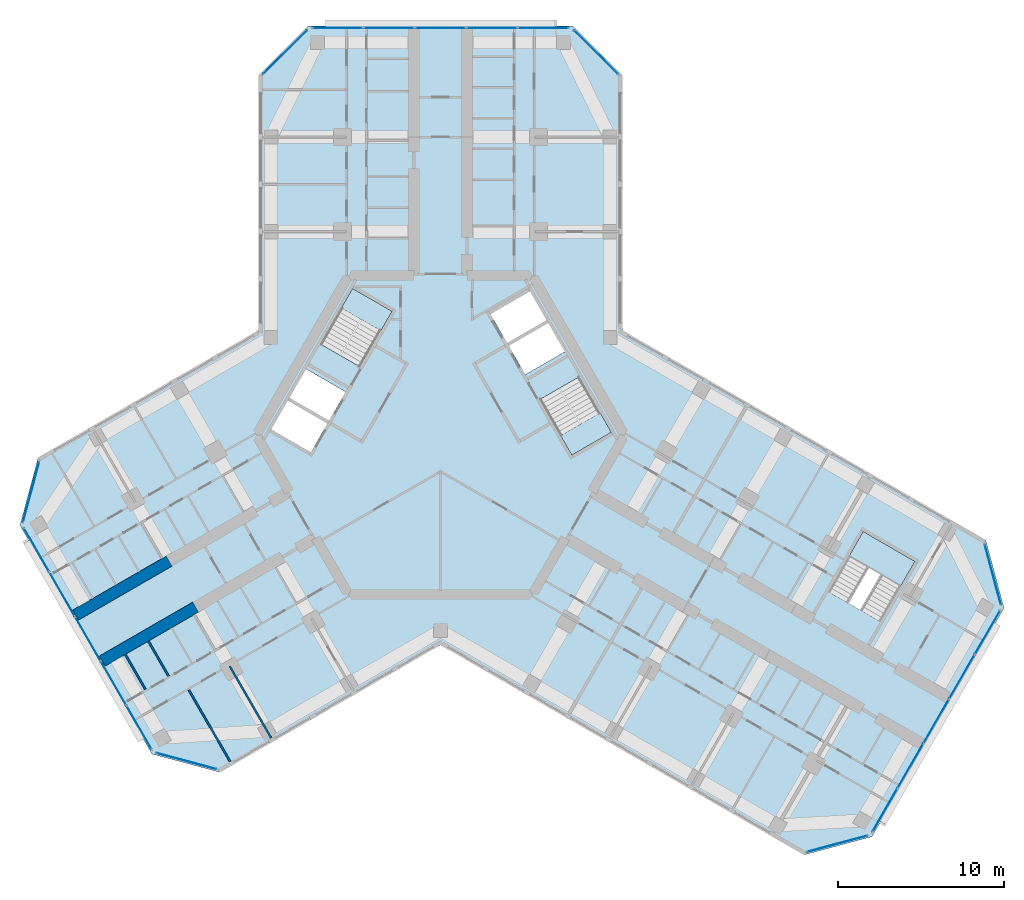
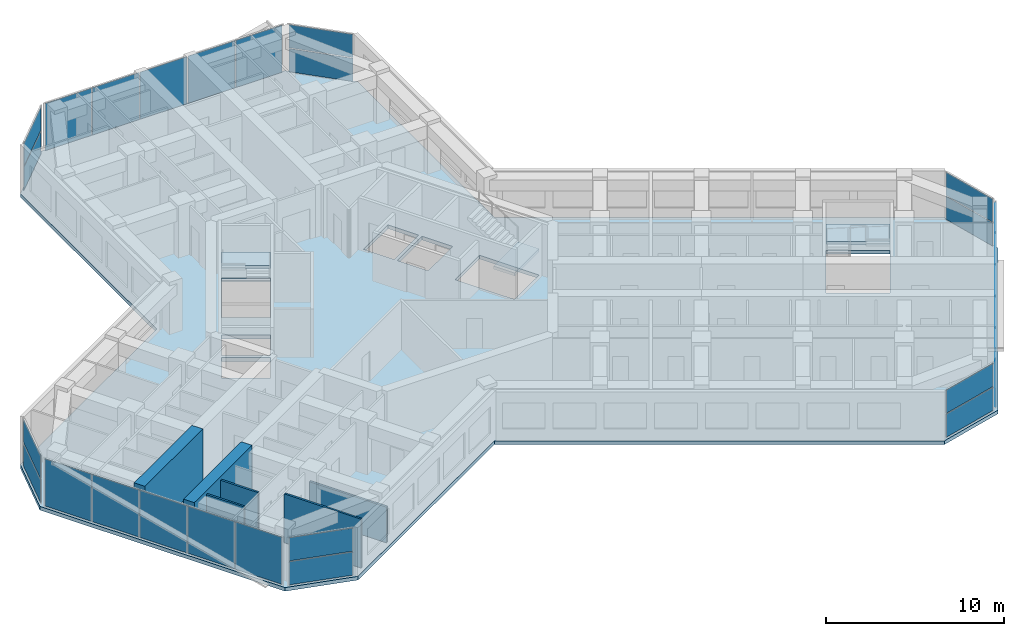
# One storey, part 7 of 16: 27 plates, 6 walls, 4 slabs, 12 elements without a shape of their own.
"""IFC4 building model written with IfcOpenShell, lengths in metres."""

from ifc_helpers import new_model, si_unit, direction, frame, frame_2d, origin, origin_2d, place, context, subcontext, project, spatial, polyline, rectangle, outline, extrude, material, layer, layer_set, type_object, element, aggregate, save


model = new_model("IFC4")

# Units and contexts
model_context = context("Model", 3, precision=1e-05, world=origin(), true_north=direction((0.0, 1.0)))
body_context = subcontext(model_context, "Body", "Model", "MODEL_VIEW")
ifc_project = project(units=[si_unit("LENGTHUNIT", "METRE"), si_unit("AREAUNIT", "SQUARE_METRE"), si_unit("VOLUMEUNIT", "CUBIC_METRE"), si_unit("PLANEANGLEUNIT", "RADIAN"), si_unit("MASSUNIT", "GRAM", prefix="KILO")], contexts=[model_context])

# Site, building, storey
site_placement = place(None, origin())
site = spatial("IfcSite", under=ifc_project, at=site_placement, CompositionType="ELEMENT")
building_placement = place(site_placement, origin())
building = spatial("IfcBuilding", under=site, at=building_placement, Name="Kosmar Iwan School Tower", CompositionType="ELEMENT")
storey_placement = place(building_placement, frame((0.0, 0.0, 242.39990234375)))
storey = spatial("IfcBuildingStorey", under=building, at=storey_placement, Name="L61", CompositionType="ELEMENT", Elevation=242.39990234375)

# Curtain wall, plates
ifc_material_1 = material(Name="Dark glass in black aluminium frame", Category="aluminium")
curtain_wall_type_1 = type_object("IfcCurtainWallType", Name="Chamfer curtain wall dark glass", PredefinedType="USERDEFINED", material=ifc_material_1)
curtain_wall_1_placement = place(storey_placement, origin())
curtain_wall_1 = element("IfcCurtainWall", 1, at=curtain_wall_1_placement, inside=storey, type_object=curtain_wall_type_1, Name="Curtain wall L61-F00", ObjectType="FACETED CURTAIN WALL", PredefinedType="USERDEFINED")
ifc_material_2 = material(Name="Dark glass", Category="glass")
ifc_layer_1 = layer(ifc_material_2, 0.028076171875)
ifc_layer_set_1 = layer_set([ifc_layer_1], Name="Dark glass panel 28")
plate_type = type_object("IfcPlateType", Name="Dark glass panel 28", PredefinedType="CURTAIN_PANEL", material=ifc_layer_set_1)
plate_1_placement = place(storey_placement, frame((23.908203125, -24.61328125, 0.06005859375), z_axis=(0.0, 0.0, 1.0), x_axis=(0.965925875495, 0.258818861462, 0.0)))
plate_1 = element("IfcPlate", 2, at=plate_1_placement, type_object=plate_type, Name="CW2 panel 1.1", PredefinedType="CURTAIN_PANEL", context=body_context, shape_type="SweptSolid", body=[
    extrude(rectangle(XDim=3.718994140625, YDim=0.028076171875, at=origin_2d()), origin(), (0.0, 0.0, 1.0), 1.5849609375),
])
plate_2_placement = place(storey_placement, frame((23.908203125, -24.61328125, 1.705078125), z_axis=(0.0, 0.0, 1.0), x_axis=(0.965925875495, 0.258818861462, 0.0)))
plate_2 = element("IfcPlate", 3, at=plate_2_placement, type_object=plate_type, Name="CW2 panel 1.2", PredefinedType="CURTAIN_PANEL", context=body_context, shape_type="SweptSolid", body=[
    extrude(rectangle(XDim=3.718994140625, YDim=0.028076171875, at=origin_2d()), origin(), (0.0, 0.0, 1.0), 1.5849609375),
])
aggregate(curtain_wall_1, [plate_1, plate_2])

ifc_material_3 = material(Name="Dark glass in black aluminium frame", Category="aluminium")
curtain_wall_type_2 = type_object("IfcCurtainWallType", Name="Tower curtain wall dark glass", PredefinedType="USERDEFINED", material=ifc_material_3)
curtain_wall_2_placement = place(storey_placement, origin())
curtain_wall_2 = element("IfcCurtainWall", 4, at=curtain_wall_2_placement, inside=storey, type_object=curtain_wall_type_2, Name="Curtain wall L61-F01", ObjectType="UNITISED CURTAIN WALL", PredefinedType="USERDEFINED")
plate_3_placement = place(storey_placement, frame((26.764404296875, -22.592529296875, 0.06005859375), z_axis=(0.0, 0.0, 1.0), x_axis=(0.499999997325, 0.866025405329, 0.0)))
plate_3 = element("IfcPlate", 5, at=plate_3_placement, type_object=plate_type, Name="CW1 panel 1.1", PredefinedType="CURTAIN_PANEL", context=body_context, shape_type="SweptSolid", body=[
    extrude(rectangle(XDim=3.00927734375, YDim=0.028076171875, at=origin_2d()), origin(), (0.0, 0.0, 1.0), 3.22998046875),
])
plate_4_placement = place(storey_placement, frame((28.306640625, -19.921630859375, 0.06005859375), z_axis=(0.0, 0.0, 1.0), x_axis=(0.499999997325, 0.866025405329, 0.0)))
plate_4 = element("IfcPlate", 6, at=plate_4_placement, type_object=plate_type, Name="CW1 panel 2.1", PredefinedType="CURTAIN_PANEL", context=body_context, shape_type="SweptSolid", body=[
    extrude(rectangle(XDim=3.039306640625, YDim=0.028076171875, at=origin_2d()), origin(), (0.0, 0.0, 1.0), 3.22998046875),
])
plate_5_placement = place(storey_placement, frame((29.856201171875, -17.237548828125, 0.06005859375), z_axis=(0.0, 0.0, 1.0), x_axis=(0.499999997325, 0.866025405329, 0.0)))
plate_5 = element("IfcPlate", 7, at=plate_5_placement, type_object=plate_type, Name="CW1 panel 3.1", PredefinedType="CURTAIN_PANEL", context=body_context, shape_type="SweptSolid", body=[
    extrude(rectangle(XDim=3.039306640625, YDim=0.028076171875, at=origin_2d()), origin(), (0.0, 0.0, 1.0), 3.22998046875),
])
plate_6_placement = place(storey_placement, frame((31.40576171875, -14.553466796875, 0.06005859375), z_axis=(0.0, 0.0, 1.0), x_axis=(0.499999997325, 0.866025405329, 0.0)))
plate_6 = element("IfcPlate", 8, at=plate_6_placement, type_object=plate_type, Name="CW1 panel 4.1", PredefinedType="CURTAIN_PANEL", context=body_context, shape_type="SweptSolid", body=[
    extrude(rectangle(XDim=3.039306640625, YDim=0.028076171875, at=origin_2d()), origin(), (0.0, 0.0, 1.0), 3.22998046875),
])
plate_7_placement = place(storey_placement, frame((32.947998046875, -11.88232421875, 0.06005859375), z_axis=(0.0, 0.0, 1.0), x_axis=(0.499999997325, 0.866025405329, 0.0)))
plate_7 = element("IfcPlate", 9, at=plate_7_placement, type_object=plate_type, Name="CW1 panel 5.1", PredefinedType="CURTAIN_PANEL", context=body_context, shape_type="SweptSolid", body=[
    extrude(rectangle(XDim=3.00927734375, YDim=0.028076171875, at=origin_2d()), origin(), (0.0, 0.0, 1.0), 3.22998046875),
])
aggregate(curtain_wall_2, [plate_3, plate_4, plate_5, plate_6, plate_7])

curtain_wall_3_placement = place(storey_placement, origin())
curtain_wall_3 = element("IfcCurtainWall", 10, at=curtain_wall_3_placement, inside=storey, type_object=curtain_wall_type_1, Name="Curtain wall L61-F02", ObjectType="FACETED CURTAIN WALL", PredefinedType="USERDEFINED")
plate_8_placement = place(storey_placement, frame((33.269775390625, -8.3984375, 0.06005859375), z_axis=(0.0, 0.0, 1.0), x_axis=(-0.258818861462, 0.965925875495, 0.0)))
plate_8 = element("IfcPlate", 11, at=plate_8_placement, type_object=plate_type, Name="CW2 panel 1.1", PredefinedType="CURTAIN_PANEL", context=body_context, shape_type="SweptSolid", body=[
    extrude(rectangle(XDim=3.718994140625, YDim=0.028076171875, at=origin_2d()), origin(), (0.0, 0.0, 1.0), 1.5849609375),
])
plate_9_placement = place(storey_placement, frame((33.269775390625, -8.3984375, 1.705078125), z_axis=(0.0, 0.0, 1.0), x_axis=(-0.258818861462, 0.965925875495, 0.0)))
plate_9 = element("IfcPlate", 12, at=plate_9_placement, type_object=plate_type, Name="CW2 panel 1.2", PredefinedType="CURTAIN_PANEL", context=body_context, shape_type="SweptSolid", body=[
    extrude(rectangle(XDim=3.718994140625, YDim=0.028076171875, at=origin_2d()), origin(), (0.0, 0.0, 1.0), 1.5849609375),
])
aggregate(curtain_wall_3, [plate_8, plate_9])

curtain_wall_4_placement = place(storey_placement, origin())
curtain_wall_4 = element("IfcCurtainWall", 13, at=curtain_wall_4_placement, inside=storey, type_object=curtain_wall_type_1, Name="Curtain wall L61-F05", ObjectType="FACETED CURTAIN WALL", PredefinedType="USERDEFINED")
plate_10_placement = place(storey_placement, frame((9.361572265625, 23.0615234375, 0.06005859375), z_axis=(0.0, 0.0, 1.0), x_axis=(-0.707106781187, 0.707106781187, 0.0)))
plate_10 = element("IfcPlate", 14, at=plate_10_placement, type_object=plate_type, Name="CW2 panel 1.1", PredefinedType="CURTAIN_PANEL", context=body_context, shape_type="SweptSolid", body=[
    extrude(rectangle(XDim=3.718994140625, YDim=0.028076171875, at=origin_2d()), origin(), (0.0, 0.0, 1.0), 1.5849609375),
])
plate_11_placement = place(storey_placement, frame((9.361572265625, 23.0615234375, 1.705078125), z_axis=(0.0, 0.0, 1.0), x_axis=(-0.707106781187, 0.707106781187, 0.0)))
plate_11 = element("IfcPlate", 15, at=plate_11_placement, type_object=plate_type, Name="CW2 panel 1.2", PredefinedType="CURTAIN_PANEL", context=body_context, shape_type="SweptSolid", body=[
    extrude(rectangle(XDim=3.718994140625, YDim=0.028076171875, at=origin_2d()), origin(), (0.0, 0.0, 1.0), 1.5849609375),
])
aggregate(curtain_wall_4, [plate_10, plate_11])

curtain_wall_5_placement = place(storey_placement, origin())
curtain_wall_5 = element("IfcCurtainWall", 16, at=curtain_wall_5_placement, inside=storey, type_object=curtain_wall_type_2, Name="Curtain wall L61-F06", ObjectType="UNITISED CURTAIN WALL", PredefinedType="USERDEFINED")
plate_12_placement = place(storey_placement, frame((6.18359375, 24.52490234375, 0.06005859375), z_axis=(0.0, 0.0, 1.0), x_axis=(-1.0, 0.0, 0.0)))
plate_12 = element("IfcPlate", 17, at=plate_12_placement, type_object=plate_type, Name="CW1 panel 1.1", PredefinedType="CURTAIN_PANEL", context=body_context, shape_type="SweptSolid", body=[
    extrude(rectangle(XDim=3.00927734375, YDim=0.028076171875, at=origin_2d()), origin(), (0.0, 0.0, 1.0), 3.22998046875),
])
plate_13_placement = place(storey_placement, frame((3.099365234375, 24.52490234375, 0.06005859375), z_axis=(0.0, 0.0, 1.0), x_axis=(-1.0, 0.0, 0.0)))
plate_13 = element("IfcPlate", 18, at=plate_13_placement, type_object=plate_type, Name="CW1 panel 2.1", PredefinedType="CURTAIN_PANEL", context=body_context, shape_type="SweptSolid", body=[
    extrude(rectangle(XDim=3.039306640625, YDim=0.028076171875, at=origin_2d()), origin(), (0.0, 0.0, 1.0), 3.22998046875),
])
plate_14_placement = place(storey_placement, frame((0.0, 24.52490234375, 0.06005859375), z_axis=(0.0, 0.0, 1.0), x_axis=(-1.0, 0.0, 0.0)))
plate_14 = element("IfcPlate", 19, at=plate_14_placement, type_object=plate_type, Name="CW1 panel 3.1", PredefinedType="CURTAIN_PANEL", context=body_context, shape_type="SweptSolid", body=[
    extrude(rectangle(XDim=3.039306640625, YDim=0.028076171875, at=origin_2d()), origin(), (0.0, 0.0, 1.0), 3.22998046875),
])
plate_15_placement = place(storey_placement, frame((-3.099365234375, 24.52490234375, 0.06005859375), z_axis=(0.0, 0.0, 1.0), x_axis=(-1.0, 0.0, 0.0)))
plate_15 = element("IfcPlate", 20, at=plate_15_placement, type_object=plate_type, Name="CW1 panel 4.1", PredefinedType="CURTAIN_PANEL", context=body_context, shape_type="SweptSolid", body=[
    extrude(rectangle(XDim=3.039306640625, YDim=0.028076171875, at=origin_2d()), origin(), (0.0, 0.0, 1.0), 3.22998046875),
])
plate_16_placement = place(storey_placement, frame((-6.18359375, 24.52490234375, 0.06005859375), z_axis=(0.0, 0.0, 1.0), x_axis=(-1.0, 0.0, 0.0)))
plate_16 = element("IfcPlate", 21, at=plate_16_placement, type_object=plate_type, Name="CW1 panel 5.1", PredefinedType="CURTAIN_PANEL", context=body_context, shape_type="SweptSolid", body=[
    extrude(rectangle(XDim=3.00927734375, YDim=0.028076171875, at=origin_2d()), origin(), (0.0, 0.0, 1.0), 3.22998046875),
])
aggregate(curtain_wall_5, [plate_12, plate_13, plate_14, plate_15, plate_16])

curtain_wall_6_placement = place(storey_placement, origin())
curtain_wall_6 = element("IfcCurtainWall", 22, at=curtain_wall_6_placement, inside=storey, type_object=curtain_wall_type_1, Name="Curtain wall L61-F07", ObjectType="FACETED CURTAIN WALL", PredefinedType="USERDEFINED")
plate_17_placement = place(storey_placement, frame((-9.361572265625, 23.0615234375, 0.06005859375), z_axis=(0.0, 0.0, 1.0), x_axis=(-0.707106781187, -0.707106781187, 0.0)))
plate_17 = element("IfcPlate", 23, at=plate_17_placement, type_object=plate_type, Name="CW2 panel 1.1", PredefinedType="CURTAIN_PANEL", context=body_context, shape_type="SweptSolid", body=[
    extrude(rectangle(XDim=3.718994140625, YDim=0.028076171875, at=origin_2d()), origin(), (0.0, 0.0, 1.0), 1.5849609375),
])
plate_18_placement = place(storey_placement, frame((-9.361572265625, 23.0615234375, 1.705078125), z_axis=(0.0, 0.0, 1.0), x_axis=(-0.707106781187, -0.707106781187, 0.0)))
plate_18 = element("IfcPlate", 24, at=plate_18_placement, type_object=plate_type, Name="CW2 panel 1.2", PredefinedType="CURTAIN_PANEL", context=body_context, shape_type="SweptSolid", body=[
    extrude(rectangle(XDim=3.718994140625, YDim=0.028076171875, at=origin_2d()), origin(), (0.0, 0.0, 1.0), 1.5849609375),
])
aggregate(curtain_wall_6, [plate_17, plate_18])

curtain_wall_7_placement = place(storey_placement, origin())
curtain_wall_7 = element("IfcCurtainWall", 25, at=curtain_wall_7_placement, inside=storey, type_object=curtain_wall_type_1, Name="Curtain wall L61-F10", ObjectType="FACETED CURTAIN WALL", PredefinedType="USERDEFINED")
plate_19_placement = place(storey_placement, frame((-24.65283203125, -3.42333984375, 0.06005859375), z_axis=(0.0, 0.0, 1.0), x_axis=(-0.258818861462, -0.965925875495, 0.0)))
plate_19 = element("IfcPlate", 26, at=plate_19_placement, type_object=plate_type, Name="CW2 panel 1.1", PredefinedType="CURTAIN_PANEL", context=body_context, shape_type="SweptSolid", body=[
    extrude(rectangle(XDim=3.718994140625, YDim=0.028076171875, at=origin_2d()), origin(), (0.0, 0.0, 1.0), 1.5849609375),
])
plate_20_placement = place(storey_placement, frame((-24.65283203125, -3.42333984375, 1.705078125), z_axis=(0.0, 0.0, 1.0), x_axis=(-0.258818861462, -0.965925875495, 0.0)))
plate_20 = element("IfcPlate", 27, at=plate_20_placement, type_object=plate_type, Name="CW2 panel 1.2", PredefinedType="CURTAIN_PANEL", context=body_context, shape_type="SweptSolid", body=[
    extrude(rectangle(XDim=3.718994140625, YDim=0.028076171875, at=origin_2d()), origin(), (0.0, 0.0, 1.0), 1.5849609375),
])
aggregate(curtain_wall_7, [plate_19, plate_20])

curtain_wall_8_placement = place(storey_placement, origin())
curtain_wall_8 = element("IfcCurtainWall", 28, at=curtain_wall_8_placement, inside=storey, type_object=curtain_wall_type_2, Name="Curtain wall L61-F11", ObjectType="UNITISED CURTAIN WALL", PredefinedType="USERDEFINED")
plate_21_placement = place(storey_placement, frame((-24.3310546875, -6.907470703125, 0.06005859375), z_axis=(0.0, 0.0, 1.0), x_axis=(0.499999997325, -0.866025405329, 0.0)))
plate_21 = element("IfcPlate", 29, at=plate_21_placement, type_object=plate_type, Name="CW1 panel 1.1", PredefinedType="CURTAIN_PANEL", context=body_context, shape_type="SweptSolid", body=[
    extrude(rectangle(XDim=3.00927734375, YDim=0.028076171875, at=origin_2d()), origin(), (0.0, 0.0, 1.0), 3.22998046875),
])
plate_22_placement = place(storey_placement, frame((-22.788818359375, -9.578369140625, 0.06005859375), z_axis=(0.0, 0.0, 1.0), x_axis=(0.499999997325, -0.866025405329, 0.0)))
plate_22 = element("IfcPlate", 30, at=plate_22_placement, type_object=plate_type, Name="CW1 panel 2.1", PredefinedType="CURTAIN_PANEL", context=body_context, shape_type="SweptSolid", body=[
    extrude(rectangle(XDim=3.039306640625, YDim=0.028076171875, at=origin_2d()), origin(), (0.0, 0.0, 1.0), 3.22998046875),
])
plate_23_placement = place(storey_placement, frame((-21.2392578125, -12.262451171875, 0.06005859375), z_axis=(0.0, 0.0, 1.0), x_axis=(0.499999997325, -0.866025405329, 0.0)))
plate_23 = element("IfcPlate", 31, at=plate_23_placement, type_object=plate_type, Name="CW1 panel 3.1", PredefinedType="CURTAIN_PANEL", context=body_context, shape_type="SweptSolid", body=[
    extrude(rectangle(XDim=3.039306640625, YDim=0.028076171875, at=origin_2d()), origin(), (0.0, 0.0, 1.0), 3.22998046875),
])
plate_24_placement = place(storey_placement, frame((-19.689697265625, -14.946533203125, 0.06005859375), z_axis=(0.0, 0.0, 1.0), x_axis=(0.499999997325, -0.866025405329, 0.0)))
plate_24 = element("IfcPlate", 32, at=plate_24_placement, type_object=plate_type, Name="CW1 panel 4.1", PredefinedType="CURTAIN_PANEL", context=body_context, shape_type="SweptSolid", body=[
    extrude(rectangle(XDim=3.039306640625, YDim=0.028076171875, at=origin_2d()), origin(), (0.0, 0.0, 1.0), 3.22998046875),
])
plate_25_placement = place(storey_placement, frame((-18.1474609375, -17.61767578125, 0.06005859375), z_axis=(0.0, 0.0, 1.0), x_axis=(0.499999997325, -0.866025405329, 0.0)))
plate_25 = element("IfcPlate", 33, at=plate_25_placement, type_object=plate_type, Name="CW1 panel 5.1", PredefinedType="CURTAIN_PANEL", context=body_context, shape_type="SweptSolid", body=[
    extrude(rectangle(XDim=3.00927734375, YDim=0.028076171875, at=origin_2d()), origin(), (0.0, 0.0, 1.0), 3.22998046875),
])
aggregate(curtain_wall_8, [plate_21, plate_22, plate_23, plate_24, plate_25])

curtain_wall_9_placement = place(storey_placement, origin())
curtain_wall_9 = element("IfcCurtainWall", 34, at=curtain_wall_9_placement, inside=storey, type_object=curtain_wall_type_1, Name="Curtain wall L61-F12", ObjectType="FACETED CURTAIN WALL", PredefinedType="USERDEFINED")
plate_26_placement = place(storey_placement, frame((-15.291015625, -19.63818359375, 0.06005859375), z_axis=(0.0, 0.0, 1.0), x_axis=(0.965925875495, -0.258818861462, 0.0)))
plate_26 = element("IfcPlate", 35, at=plate_26_placement, type_object=plate_type, Name="CW2 panel 1.1", PredefinedType="CURTAIN_PANEL", context=body_context, shape_type="SweptSolid", body=[
    extrude(rectangle(XDim=3.718994140625, YDim=0.028076171875, at=origin_2d()), origin(), (0.0, 0.0, 1.0), 1.5849609375),
])
plate_27_placement = place(storey_placement, frame((-15.291015625, -19.63818359375, 1.705078125), z_axis=(0.0, 0.0, 1.0), x_axis=(0.965925875495, -0.258818861462, 0.0)))
plate_27 = element("IfcPlate", 36, at=plate_27_placement, type_object=plate_type, Name="CW2 panel 1.2", PredefinedType="CURTAIN_PANEL", context=body_context, shape_type="SweptSolid", body=[
    extrude(rectangle(XDim=3.718994140625, YDim=0.028076171875, at=origin_2d()), origin(), (0.0, 0.0, 1.0), 1.5849609375),
])
aggregate(curtain_wall_9, [plate_26, plate_27])

# Stair, slab
ifc_material_4 = material(Name="Concrete C35/45", Category="concrete")
stair_type_1 = type_object("IfcStairType", Name="Escape stair 3600", PredefinedType="HALF_TURN_STAIR", material=ifc_material_4)
stair_1_placement = place(storey_placement, origin())
stair_1 = element("IfcStair", 37, at=stair_1_placement, inside=storey, type_object=stair_type_1, Name="Stair WS3 L61", PredefinedType="HALF_TURN_STAIR")
ifc_material_5 = material(Name="Concrete C35/45", Category="concrete")
ifc_layer_2 = layer(ifc_material_5, 0.199951171875)
ifc_layer_set_2 = layer_set([ifc_layer_2], Name="Escape stair landing 200")
slab_type_1 = type_object("IfcSlabType", Name="Escape stair landing 200", PredefinedType="LANDING", material=ifc_layer_set_2)
slab_1_placement = place(storey_placement, frame((0.0, 0.0, 1.60009765625)))
slab_1 = element("IfcSlab", 38, at=slab_1_placement, type_object=slab_type_1, Name="WS3 landing 1", PredefinedType="LANDING", context=body_context, shape_type="SweptSolid", body=[
    extrude(outline(polyline([(24.607421875, -7.27880859375), (27.72509765625, -9.078857421875), (28.574951171875, -7.606689453125), (25.457275390625, -5.806640625), (24.607421875, -7.27880859375)])), origin(), (0.0, 0.0, 1.0), 0.199951171875),
])
aggregate(stair_1, [slab_1])

# Slab
ifc_material_6 = material(Name="Concrete C35/45", Category="concrete")
ifc_layer_3 = layer(ifc_material_6, 0.25)
ifc_layer_set_3 = layer_set([ifc_layer_3], Name="Floor slab 250")
slab_type_2 = type_object("IfcSlabType", Name="Floor slab 250", PredefinedType="FLOOR", material=ifc_layer_set_3)
slab_2_placement = place(storey_placement, frame((0.0, 0.0, -0.25)))
element("IfcSlab", 39, at=slab_2_placement, inside=storey, type_object=slab_type_2, Name="L61 floor slab", PredefinedType="FLOOR", context=body_context, shape_type="SweptSolid", body=[
    extrude(outline(polyline([(21.891357421875, -25.282958984375), (25.989501953125, -24.184814453125), (33.939453125, -10.4150390625), (32.84130859375, -6.317138671875), (10.949951171875, 6.322021484375), (10.949951171875, 21.64990234375), (7.949951171875, 24.64990234375), (-7.949951171875, 24.64990234375), (-10.949951171875, 21.64990234375), (-10.949951171875, 6.322021484375), (-24.224365234375, -1.342041015625), (-25.322509765625, -5.440185546875), (-17.37255859375, -19.2099609375), (-13.2744140625, -20.307861328125), (0.0, -12.64404296875), (21.891357421875, -25.282958984375)]), holes=[polyline([(7.91259765625, -1.205078125), (10.294189453125, 0.169921875), (8.3642578125, 3.5126953125), (5.982666015625, 2.1376953125), (7.91259765625, -1.205078125)]), polyline([(-2.91259765625, 7.455078125), (-5.294189453125, 8.830078125), (-7.22412109375, 5.4873046875), (-4.8427734375, 4.1123046875), (-2.91259765625, 7.455078125)]), polyline([(-5.712646484375, 2.60546875), (-8.09423828125, 3.98046875), (-9.09423828125, 2.248291015625), (-6.712646484375, 0.873291015625), (-5.712646484375, 2.60546875)]), polyline([(-6.812744140625, 0.7001953125), (-9.1943359375, 2.0751953125), (-10.1943359375, 0.343017578125), (-7.812744140625, -1.031982421875), (-6.812744140625, 0.7001953125)]), polyline([(5.112548828125, 3.64453125), (7.494140625, 5.01953125), (6.494140625, 6.751708984375), (4.112548828125, 5.376708984375), (5.112548828125, 3.64453125)]), polyline([(4.0126953125, 5.5498046875), (6.394287109375, 6.9248046875), (5.394287109375, 8.656982421875), (3.0126953125, 7.281982421875), (4.0126953125, 5.5498046875)]), polyline([(23.367431640625, -9.426513671875), (26.485107421875, -11.2265625), (28.574951171875, -7.606689453125), (25.457275390625, -5.806640625), (23.367431640625, -9.426513671875)])]), origin(), (0.0, 0.0, 1.0), 0.25),
])

# Stair, slab
ifc_material_7 = material(Name="Concrete C35/45", Category="concrete")
stair_type_2 = type_object("IfcStairType", Name="Core stair 2750", PredefinedType="HALF_TURN_STAIR", material=ifc_material_7)
stair_2_placement = place(storey_placement, origin())
stair_2 = element("IfcStair", 40, at=stair_2_placement, inside=storey, type_object=stair_type_2, Name="Stair ST2 L61", PredefinedType="HALF_TURN_STAIR")
ifc_material_8 = material(Name="Concrete C35/45", Category="concrete")
ifc_layer_4 = layer(ifc_material_8, 0.199951171875)
ifc_layer_set_4 = layer_set([ifc_layer_4], Name="Stair landing 200")
slab_type_3 = type_object("IfcSlabType", Name="Stair landing 200", PredefinedType="LANDING", material=ifc_layer_set_4)
slab_3_placement = place(storey_placement, frame((0.0, 0.0, 1.60009765625)))
slab_3 = element("IfcSlab", 41, at=slab_3_placement, type_object=slab_type_3, Name="ST2 landing 1", PredefinedType="LANDING", context=body_context, shape_type="SweptSolid", body=[
    extrude(outline(polyline([(-2.91259765625, 7.455078125), (-5.294189453125, 8.830078125), (-5.97412109375, 7.65234375), (-3.5927734375, 6.27734375), (-2.91259765625, 7.455078125)])), origin(), (0.0, 0.0, 1.0), 0.199951171875),
])
aggregate(stair_2, [slab_3])

stair_3_placement = place(storey_placement, origin())
stair_3 = element("IfcStair", 42, at=stair_3_placement, inside=storey, type_object=stair_type_2, Name="Stair ST1 L61", PredefinedType="HALF_TURN_STAIR")
slab_4_placement = place(storey_placement, frame((0.0, 0.0, 1.60009765625)))
slab_4 = element("IfcSlab", 43, at=slab_4_placement, type_object=slab_type_3, Name="ST1 landing 1", PredefinedType="LANDING", context=body_context, shape_type="SweptSolid", body=[
    extrude(outline(polyline([(7.91259765625, -1.205078125), (10.294189453125, 0.169921875), (9.6142578125, 1.34765625), (7.232666015625, -0.02734375), (7.91259765625, -1.205078125)])), origin(), (0.0, 0.0, 1.0), 0.199951171875),
])
aggregate(stair_3, [slab_4])

# Walls
ifc_material_9 = material(Name="Concrete C50/60", Category="concrete")
ifc_layer_5 = layer(ifc_material_9, 0.699951171875)
ifc_layer_set_5 = layer_set([ifc_layer_5], Name="Corridor buttress wall 700")
wall_type_1 = type_object("IfcWallType", Name="Corridor buttress wall 700", PredefinedType="SHEAR", material=ifc_layer_set_5)
wall_1_placement = place(storey_placement, frame((-14.7451171875, -10.360595703125, 0.0), z_axis=(0.0, 0.0, 1.0), x_axis=(-0.866027848477, -0.499995765644, 0.0)))
element("IfcWall", 44, at=wall_1_placement, inside=storey, type_object=wall_type_1, Name="Corridor wall BL bay 2", PredefinedType="SHEAR", context=body_context, shape_type="SweptSolid", body=[
    extrude(rectangle(XDim=6.4951171875, YDim=0.699951171875, at=frame_2d((3.24755859375, 0.0))), origin(), (0.0, 0.0, 1.0), 3.60009765625),
])
wall_2_placement = place(storey_placement, frame((-16.34521484375, -7.58935546875, 0.0), z_axis=(0.0, 0.0, 1.0), x_axis=(-0.866018451174, -0.500012042081, 0.0)))
element("IfcWall", 45, at=wall_2_placement, inside=storey, type_object=wall_type_1, Name="Corridor wall BR bay 2", PredefinedType="SHEAR", context=body_context, shape_type="SweptSolid", body=[
    extrude(rectangle(XDim=6.494873046875, YDim=0.699951171875, at=frame_2d((3.24755859375, 0.0))), origin(), (0.0, 0.0, 1.0), 3.60009765625),
])
ifc_material_10 = material(Name="Gypsum board on steel studs", Category="steel")
ifc_layer_6 = layer(ifc_material_10, 0.1201171875)
ifc_layer_set_6 = layer_set([ifc_layer_6], Name="Dwelling partition 120")
wall_type_2 = type_object("IfcWallType", Name="Dwelling partition 120", PredefinedType="PARTITIONING", material=ifc_layer_set_6)
wall_3_placement = place(storey_placement, frame((-12.690185546875, -13.919921875, 0.0), z_axis=(0.0, 0.0, 1.0), x_axis=(0.500011847778, -0.866018563358, 0.0)))
element("IfcWall", 46, at=wall_3_placement, inside=storey, type_object=wall_type_2, Name="Partition L61-BL1-X2", PredefinedType="PARTITIONING", context=body_context, shape_type="SweptSolid", body=[
    extrude(rectangle(XDim=4.990234375, YDim=0.1201171875, at=frame_2d((2.4951171875, 0.0))), origin(), (0.0, 0.0, 1.0), 2.4501953125),
])
wall_4_placement = place(storey_placement, frame((-15.158447265625, -15.344970703125, 0.0), z_axis=(0.0, 0.0, 1.0), x_axis=(0.500011847778, -0.866018563358, 0.0)))
element("IfcWall", 47, at=wall_4_placement, inside=storey, type_object=wall_type_2, Name="Partition L61-BL1-X3", PredefinedType="PARTITIONING", context=body_context, shape_type="SweptSolid", body=[
    extrude(rectangle(XDim=4.990234375, YDim=0.1201171875, at=frame_2d((2.4951171875, 0.0))), origin(), (0.0, 0.0, 1.0), 3.35009765625),
])
wall_5_placement = place(storey_placement, frame((-17.589599609375, -12.406982421875, 0.0), z_axis=(0.0, 0.0, 1.0), x_axis=(0.499959183527, -0.866048967903, 0.0)))
element("IfcWall", 48, at=wall_5_placement, inside=storey, type_object=wall_type_2, Name="Partition L61-BL1-Y6", PredefinedType="PARTITIONING", context=body_context, shape_type="SweptSolid", body=[
    extrude(rectangle(XDim=2.440185546875, YDim=0.1201171875, at=frame_2d((1.22021484375, 0.0))), origin(), (0.0, 0.0, 1.0), 3.35009765625),
])
wall_6_placement = place(storey_placement, frame((-18.981201171875, -13.21044921875, 0.0), z_axis=(0.0, 0.0, 1.0), x_axis=(0.500077547548, -0.865980627057, 0.0)))
element("IfcWall", 49, at=wall_6_placement, inside=storey, type_object=wall_type_2, Name="Partition L61-BL1-Y7", PredefinedType="PARTITIONING", context=body_context, shape_type="SweptSolid", body=[
    extrude(rectangle(XDim=2.43994140625, YDim=0.1201171875, at=frame_2d((1.219970703125, 0.0))), origin(), (0.0, 0.0, 1.0), 3.35009765625),
])

save(model, "model.ifc")
